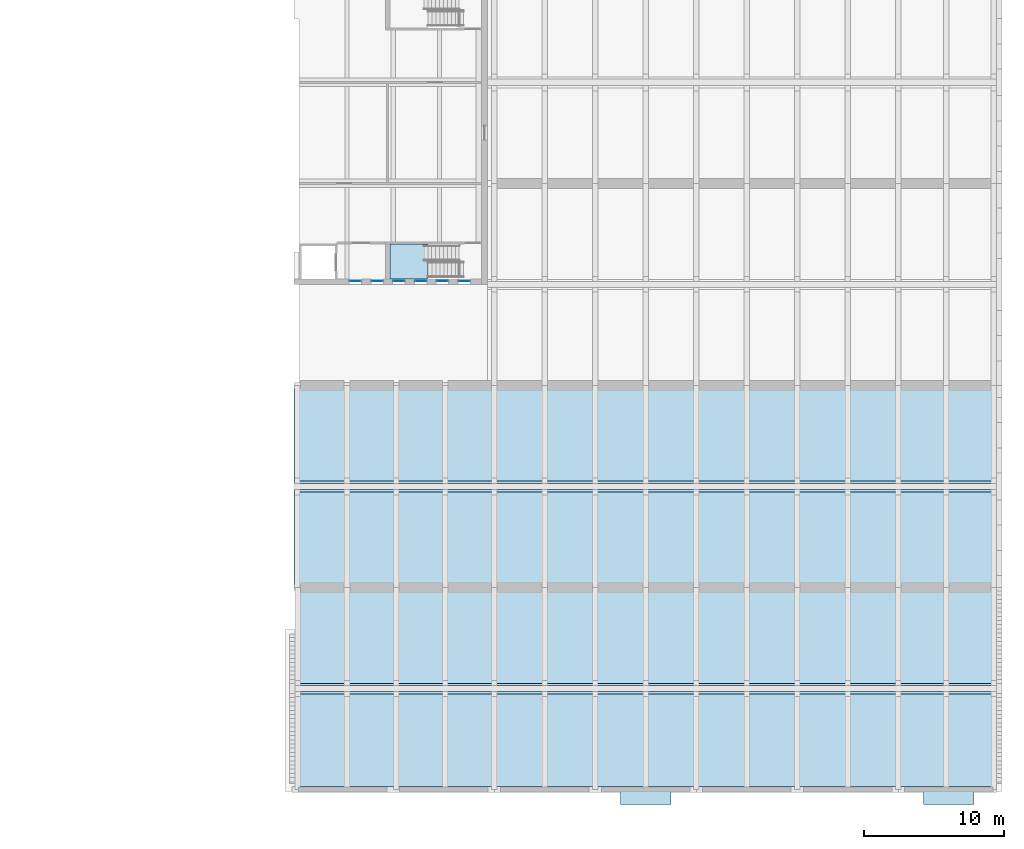
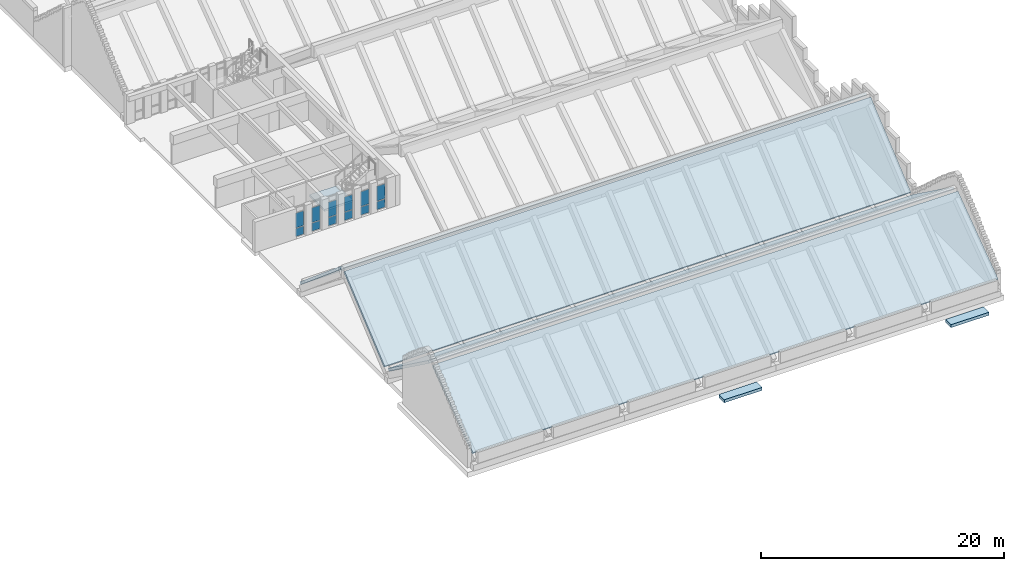
# One storey, part 17 of 31: 12 plates, 7 slabs, 7 elements without a shape of their own.
"""IFC4 building model written with IfcOpenShell, lengths in metres."""

from ifc_helpers import new_model, si_unit, direction, frame, origin, origin_2d, place, context, subcontext, project, spatial, polyline, rectangle, outline, extrude, material, layer, layer_set, type_object, element, aggregate, save


model = new_model("IFC4")

# Units and contexts
model_context = context("Model", 3, precision=1e-05, world=origin(), true_north=direction((0.0, 1.0)))
body_context = subcontext(model_context, "Body", "Model", "MODEL_VIEW")
ifc_project = project(units=[si_unit("LENGTHUNIT", "METRE"), si_unit("AREAUNIT", "SQUARE_METRE"), si_unit("VOLUMEUNIT", "CUBIC_METRE"), si_unit("PLANEANGLEUNIT", "RADIAN"), si_unit("MASSUNIT", "GRAM", prefix="KILO")], contexts=[model_context])

# Site, building, storey
site_placement = place(None, origin())
site = spatial("IfcSite", under=ifc_project, at=site_placement, CompositionType="ELEMENT")
building_placement = place(site_placement, origin())
building = spatial("IfcBuilding", under=site, at=building_placement, Name="Vermilion Court Aquatics Centre", CompositionType="ELEMENT")
storey_placement = place(building_placement, frame((0.0, 0.0, 16.5)))
storey = spatial("IfcBuildingStorey", under=building, at=storey_placement, Name="L03", CompositionType="ELEMENT", Elevation=16.5)

# Curtain wall, plates
ifc_material_1 = material(Name="Aluminium 6063-T5", Category="aluminium")
curtain_wall_type = type_object("IfcCurtainWallType", Name="Diving Tower slot curtain wall 900 module", PredefinedType="NOTDEFINED", material=ifc_material_1)
curtain_wall_1_placement = place(storey_placement, origin())
curtain_wall_1 = element("IfcCurtainWall", 1, at=curtain_wall_1_placement, inside=storey, type_object=curtain_wall_type, Name="Diving Tower slot window south 1 L03", PredefinedType="NOTDEFINED")
ifc_material_2 = material(Name="Glazing", Category="glass")
ifc_layer_1 = layer(ifc_material_2, 0.02392578125)
ifc_layer_set_1 = layer_set([ifc_layer_1], Name="Diving Tower slot glazing panel 24")
plate_type = type_object("IfcPlateType", Name="Diving Tower slot glazing panel 24", PredefinedType="CURTAIN_PANEL", material=ifc_layer_set_1)
plate_1_placement = place(storey_placement, frame((148.5, 36.25, 0.06005859375), z_axis=(0.0, 0.0, 1.0), x_axis=(1.0, 0.0, 0.0)))
plate_1 = element("IfcPlate", 2, at=plate_1_placement, type_object=plate_type, Name="UCW3 panel 1.1", PredefinedType="CURTAIN_PANEL", context=body_context, shape_type="SweptSolid", body=[
    extrude(rectangle(XDim=0.780029296875, YDim=0.028076171875, at=origin_2d()), origin(), (0.0, 0.0, 1.0), 0.81005859375),
])
plate_2_placement = place(storey_placement, frame((148.5, 36.25, 0.93017578125), z_axis=(0.0, 0.0, 1.0), x_axis=(1.0, 0.0, 0.0)))
plate_2 = element("IfcPlate", 3, at=plate_2_placement, type_object=plate_type, Name="UCW3 panel 1.2", PredefinedType="CURTAIN_PANEL", context=body_context, shape_type="SweptSolid", body=[
    extrude(rectangle(XDim=0.780029296875, YDim=0.028076171875, at=origin_2d()), origin(), (0.0, 0.0, 1.0), 1.489990234375),
])
aggregate(curtain_wall_1, [plate_1, plate_2])

curtain_wall_2_placement = place(storey_placement, origin())
curtain_wall_2 = element("IfcCurtainWall", 4, at=curtain_wall_2_placement, inside=storey, type_object=curtain_wall_type, Name="Diving Tower slot window south 2 L03", PredefinedType="NOTDEFINED")
plate_3_placement = place(storey_placement, frame((150.050048828125, 36.25, 0.06005859375), z_axis=(0.0, 0.0, 1.0), x_axis=(1.0, 0.0, 0.0)))
plate_3 = element("IfcPlate", 5, at=plate_3_placement, type_object=plate_type, Name="UCW3 panel 1.1", PredefinedType="CURTAIN_PANEL", context=body_context, shape_type="SweptSolid", body=[
    extrude(rectangle(XDim=0.780029296875, YDim=0.028076171875, at=origin_2d()), origin(), (0.0, 0.0, 1.0), 0.81005859375),
])
plate_4_placement = place(storey_placement, frame((150.050048828125, 36.25, 0.93017578125), z_axis=(0.0, 0.0, 1.0), x_axis=(1.0, 0.0, 0.0)))
plate_4 = element("IfcPlate", 6, at=plate_4_placement, type_object=plate_type, Name="UCW3 panel 1.2", PredefinedType="CURTAIN_PANEL", context=body_context, shape_type="SweptSolid", body=[
    extrude(rectangle(XDim=0.780029296875, YDim=0.028076171875, at=origin_2d()), origin(), (0.0, 0.0, 1.0), 1.489990234375),
])
aggregate(curtain_wall_2, [plate_3, plate_4])

curtain_wall_3_placement = place(storey_placement, origin())
curtain_wall_3 = element("IfcCurtainWall", 7, at=curtain_wall_3_placement, inside=storey, type_object=curtain_wall_type, Name="Diving Tower slot window south 3 L03", PredefinedType="NOTDEFINED")
plate_5_placement = place(storey_placement, frame((151.60009765625, 36.25, 0.06005859375), z_axis=(0.0, 0.0, 1.0), x_axis=(1.0, 0.0, 0.0)))
plate_5 = element("IfcPlate", 8, at=plate_5_placement, type_object=plate_type, Name="UCW3 panel 1.1", PredefinedType="CURTAIN_PANEL", context=body_context, shape_type="SweptSolid", body=[
    extrude(rectangle(XDim=0.780029296875, YDim=0.028076171875, at=origin_2d()), origin(), (0.0, 0.0, 1.0), 0.81005859375),
])
plate_6_placement = place(storey_placement, frame((151.60009765625, 36.25, 0.93017578125), z_axis=(0.0, 0.0, 1.0), x_axis=(1.0, 0.0, 0.0)))
plate_6 = element("IfcPlate", 9, at=plate_6_placement, type_object=plate_type, Name="UCW3 panel 1.2", PredefinedType="CURTAIN_PANEL", context=body_context, shape_type="SweptSolid", body=[
    extrude(rectangle(XDim=0.780029296875, YDim=0.028076171875, at=origin_2d()), origin(), (0.0, 0.0, 1.0), 1.489990234375),
])
aggregate(curtain_wall_3, [plate_5, plate_6])

curtain_wall_4_placement = place(storey_placement, origin())
curtain_wall_4 = element("IfcCurtainWall", 10, at=curtain_wall_4_placement, inside=storey, type_object=curtain_wall_type, Name="Diving Tower slot window south 4 L03", PredefinedType="NOTDEFINED")
plate_7_placement = place(storey_placement, frame((153.14990234375, 36.25, 0.06005859375), z_axis=(0.0, 0.0, 1.0), x_axis=(1.0, 0.0, 0.0)))
plate_7 = element("IfcPlate", 11, at=plate_7_placement, type_object=plate_type, Name="UCW3 panel 1.1", PredefinedType="CURTAIN_PANEL", context=body_context, shape_type="SweptSolid", body=[
    extrude(rectangle(XDim=0.780029296875, YDim=0.028076171875, at=origin_2d()), origin(), (0.0, 0.0, 1.0), 0.81005859375),
])
plate_8_placement = place(storey_placement, frame((153.14990234375, 36.25, 0.93017578125), z_axis=(0.0, 0.0, 1.0), x_axis=(1.0, 0.0, 0.0)))
plate_8 = element("IfcPlate", 12, at=plate_8_placement, type_object=plate_type, Name="UCW3 panel 1.2", PredefinedType="CURTAIN_PANEL", context=body_context, shape_type="SweptSolid", body=[
    extrude(rectangle(XDim=0.780029296875, YDim=0.028076171875, at=origin_2d()), origin(), (0.0, 0.0, 1.0), 1.489990234375),
])
aggregate(curtain_wall_4, [plate_7, plate_8])

curtain_wall_5_placement = place(storey_placement, origin())
curtain_wall_5 = element("IfcCurtainWall", 13, at=curtain_wall_5_placement, inside=storey, type_object=curtain_wall_type, Name="Diving Tower slot window south 5 L03", PredefinedType="NOTDEFINED")
plate_9_placement = place(storey_placement, frame((154.699951171875, 36.25, 0.06005859375), z_axis=(0.0, 0.0, 1.0), x_axis=(1.0, 0.0, 0.0)))
plate_9 = element("IfcPlate", 14, at=plate_9_placement, type_object=plate_type, Name="UCW3 panel 1.1", PredefinedType="CURTAIN_PANEL", context=body_context, shape_type="SweptSolid", body=[
    extrude(rectangle(XDim=0.780029296875, YDim=0.028076171875, at=origin_2d()), origin(), (0.0, 0.0, 1.0), 0.81005859375),
])
plate_10_placement = place(storey_placement, frame((154.699951171875, 36.25, 0.93017578125), z_axis=(0.0, 0.0, 1.0), x_axis=(1.0, 0.0, 0.0)))
plate_10 = element("IfcPlate", 15, at=plate_10_placement, type_object=plate_type, Name="UCW3 panel 1.2", PredefinedType="CURTAIN_PANEL", context=body_context, shape_type="SweptSolid", body=[
    extrude(rectangle(XDim=0.780029296875, YDim=0.028076171875, at=origin_2d()), origin(), (0.0, 0.0, 1.0), 1.489990234375),
])
aggregate(curtain_wall_5, [plate_9, plate_10])

curtain_wall_6_placement = place(storey_placement, origin())
curtain_wall_6 = element("IfcCurtainWall", 16, at=curtain_wall_6_placement, inside=storey, type_object=curtain_wall_type, Name="Diving Tower slot window south 6 L03", PredefinedType="NOTDEFINED")
plate_11_placement = place(storey_placement, frame((156.25, 36.25, 0.06005859375), z_axis=(0.0, 0.0, 1.0), x_axis=(1.0, 0.0, 0.0)))
plate_11 = element("IfcPlate", 17, at=plate_11_placement, type_object=plate_type, Name="UCW3 panel 1.1", PredefinedType="CURTAIN_PANEL", context=body_context, shape_type="SweptSolid", body=[
    extrude(rectangle(XDim=0.780029296875, YDim=0.028076171875, at=origin_2d()), origin(), (0.0, 0.0, 1.0), 0.81005859375),
])
plate_12_placement = place(storey_placement, frame((156.25, 36.25, 0.93017578125), z_axis=(0.0, 0.0, 1.0), x_axis=(1.0, 0.0, 0.0)))
plate_12 = element("IfcPlate", 18, at=plate_12_placement, type_object=plate_type, Name="UCW3 panel 1.2", PredefinedType="CURTAIN_PANEL", context=body_context, shape_type="SweptSolid", body=[
    extrude(rectangle(XDim=0.780029296875, YDim=0.028076171875, at=origin_2d()), origin(), (0.0, 0.0, 1.0), 1.489990234375),
])
aggregate(curtain_wall_6, [plate_11, plate_12])

# Stair, slab
ifc_material_3 = material(Name="Concrete 5000 psi", Category="concrete")
stair_type = type_object("IfcStairType", Name="Diving Tower stair 1130", PredefinedType="HALF_TURN_STAIR", material=ifc_material_3)
stair_placement = place(storey_placement, origin())
stair = element("IfcStair", 19, at=stair_placement, inside=storey, type_object=stair_type, Name="Exit stair ST-D1 L03", PredefinedType="HALF_TURN_STAIR")
ifc_material_4 = material(Name="Concrete 5000 psi", Category="concrete")
ifc_layer_2 = layer(ifc_material_4, 0.199951171875)
ifc_layer_set_2 = layer_set([ifc_layer_2], Name="Diving Tower stair landing 200")
slab_type_1 = type_object("IfcSlabType", Name="Diving Tower stair landing 200", PredefinedType="LANDING", material=ifc_layer_set_2)
slab_1_placement = place(storey_placement, frame((0.0, 0.0, 1.5)))
slab_1 = element("IfcSlab", 20, at=slab_1_placement, type_object=slab_type_1, Name="ST-D1 landing 1", PredefinedType="LANDING", context=body_context, shape_type="SweptSolid", body=[
    extrude(outline(polyline([(150.949951171875, 36.39990234375), (153.679931640625, 36.39990234375), (153.679931640625, 38.875), (150.949951171875, 38.875), (150.949951171875, 36.39990234375)])), origin(), (0.0, 0.0, 1.0), 0.199951171875),
])
aggregate(stair, [slab_1])

# Slabs
ifc_material_5 = material(Name="Concrete 5000 psi", Category="concrete")
ifc_layer_3 = layer(ifc_material_5, 0.300048828125)
ifc_layer_set_3 = layer_set([ifc_layer_3], Name="Podium projecting bay roof slab 300")
slab_type_2 = type_object("IfcSlabType", Name="Podium projecting bay roof slab 300", PredefinedType="ROOF", material=ifc_layer_set_3)
slab_2_placement = place(storey_placement, frame((0.0, 0.0, -0.800048828125)))
element("IfcSlab", 21, at=slab_2_placement, inside=storey, type_object=slab_type_2, Name="Projecting bay roof slab", PredefinedType="ROOF", context=body_context, shape_type="SweptSolid", body=[
    extrude(outline(polyline([(171.0, -1.050048828125), (171.0, -0.14990234375), (167.39990234375, -0.14990234375), (167.39990234375, -1.050048828125), (171.0, -1.050048828125)])), origin(), (0.0, 0.0, 1.0), 0.300048828125),
])
slab_3_placement = place(storey_placement, frame((0.0, 0.0, -0.800048828125)))
element("IfcSlab", 22, at=slab_3_placement, inside=storey, type_object=slab_type_2, Name="Projecting bay roof slab", PredefinedType="ROOF", context=body_context, shape_type="SweptSolid", body=[
    extrude(outline(polyline([(192.60009765625, -1.050048828125), (192.60009765625, -0.14990234375), (189.0, -0.14990234375), (189.0, -1.050048828125), (192.60009765625, -1.050048828125)])), origin(), (0.0, 0.0, 1.0), 0.300048828125),
])
ifc_material_6 = material(Name="Concrete 5000 psi", Category="concrete")
ifc_layer_4 = layer(ifc_material_6, 0.25)
ifc_layer_set_4 = layer_set([ifc_layer_4], Name="Podium terracotta-clad roof slab 250")
slab_type_3 = type_object("IfcSlabType", Name="Podium terracotta-clad roof slab 250", PredefinedType="ROOF", material=ifc_layer_set_4)
slab_4_placement = place(storey_placement, frame((144.199951171875, 0.203125, 1.54150390625), z_axis=(0.0, -0.587795827483, 0.809009310944), x_axis=(1.0, 0.0, 0.0)))
element("IfcSlab", 23, at=slab_4_placement, inside=storey, type_object=slab_type_3, Name="Roof slab", PredefinedType="ROOF", context=body_context, shape_type="SweptSolid", body=[
    extrude(outline(polyline([(0.0, 0.0), (50.0, 0.0), (50.0, 8.189028124126622), (0.0, 8.189028124126622), (0.0, 0.0)])), origin(), (0.0, 0.0, -1.0), 0.25),
])
slab_5_placement = place(storey_placement, frame((144.199951171875, 14.197021484375, 1.54150390625), z_axis=(0.0, 0.587795827483, 0.809009310944), x_axis=(1.0, 0.0, 0.0)))
element("IfcSlab", 24, at=slab_5_placement, inside=storey, type_object=slab_type_3, Name="Roof slab", PredefinedType="ROOF", context=body_context, shape_type="SweptSolid", body=[
    extrude(outline(polyline([(0.0, 0.0), (50.0, 0.0), (50.0, -8.189028124126622), (0.0, -8.189028124126622), (0.0, 0.0)])), origin(), (0.0, 0.0, -1.0), 0.25),
])
slab_6_placement = place(storey_placement, frame((144.110107421875, 14.58935546875, 1.54443359375), z_axis=(0.0, -0.642790797095, 0.766041768554), x_axis=(1.0, 0.0, 0.0)))
element("IfcSlab", 25, at=slab_6_placement, inside=storey, type_object=slab_type_3, Name="Roof slab", PredefinedType="ROOF", context=body_context, shape_type="SweptSolid", body=[
    extrude(outline(polyline([(0.0, 0.0), (50.08984375, 0.0), (50.08984375, 8.648353486656672), (0.0, 8.648353486656672), (0.0, 0.0)])), origin(), (0.0, 0.0, -1.0), 0.25),
])
slab_7_placement = place(storey_placement, frame((144.110107421875, 28.610595703125, 1.54443359375), z_axis=(0.0, 0.642790797095, 0.766041768554), x_axis=(1.0, 0.0, 0.0)))
element("IfcSlab", 26, at=slab_7_placement, inside=storey, type_object=slab_type_3, Name="Roof slab", PredefinedType="ROOF", context=body_context, shape_type="SweptSolid", body=[
    extrude(outline(polyline([(0.0, 0.0), (50.08984375, 0.0), (50.08984375, -8.648353486656672), (0.0, -8.648353486656672), (0.0, 0.0)])), origin(), (0.0, 0.0, -1.0), 0.25),
])

save(model, "model.ifc")
